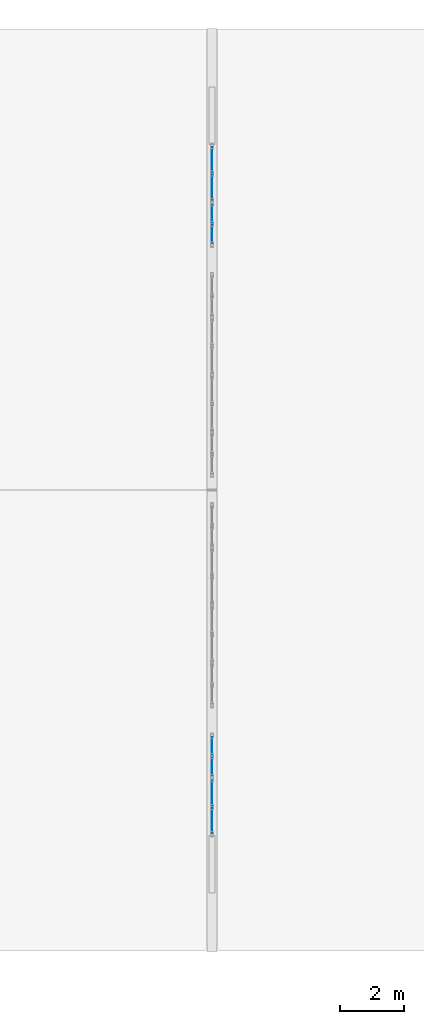
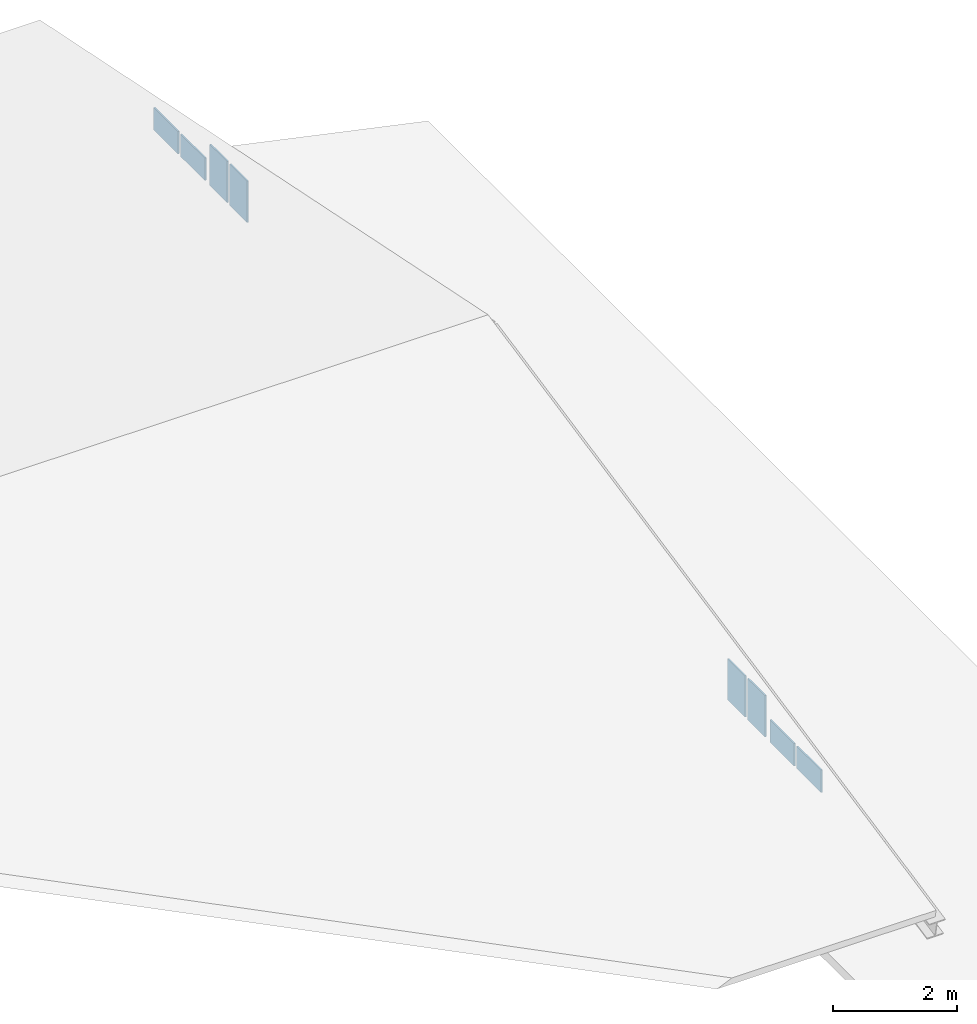
# One storey, part 65 of 76: 8 plates, 4 elements without a shape of their own.
"""IFC4 building model written with IfcOpenShell, lengths in metres."""

from ifc_helpers import new_model, si_unit, direction, frame, origin, origin_2d, place, context, subcontext, project, spatial, rectangle, extrude, material, layer, layer_set, type_object, element, aggregate, save


model = new_model("IFC4")

# Units and contexts
model_context = context("Model", 3, precision=1e-05, world=origin(), true_north=direction((0.0, 1.0)))
body_context = subcontext(model_context, "Body", "Model", "MODEL_VIEW")
ifc_project = project(units=[si_unit("LENGTHUNIT", "METRE"), si_unit("AREAUNIT", "SQUARE_METRE"), si_unit("VOLUMEUNIT", "CUBIC_METRE"), si_unit("PLANEANGLEUNIT", "RADIAN"), si_unit("MASSUNIT", "GRAM", prefix="KILO"), si_unit("THERMODYNAMICTEMPERATUREUNIT", "KELVIN"), si_unit("POWERUNIT", "WATT")], contexts=[model_context])

# Site, building, storey
site_placement = place(None, origin())
site = spatial("IfcSite", under=ifc_project, at=site_placement, CompositionType="ELEMENT")
building_placement = place(site_placement, origin())
building = spatial("IfcBuilding", under=site, at=building_placement, Name="Kaldorven Railside Theatre", CompositionType="ELEMENT")
storey_placement = place(building_placement, frame((0.0, 0.0, 14.39990234375)))
storey = spatial("IfcBuildingStorey", under=building, at=storey_placement, Name="L03", CompositionType="ELEMENT", Elevation=14.39990234375)

# Curtain wall, plates
ifc_material = material(Name="Low-E laminated solar-control glass", Category="glass")
ifc_layer_1 = layer(ifc_material, 0.159912109375, Name="Low-E laminated solar-control glass")
ifc_layer_set_1 = layer_set([ifc_layer_1], Name="Low-E laminated solar-control glass")
curtain_wall_type_1 = type_object("IfcCurtainWallType", Name="CWT-71", PredefinedType="USERDEFINED", material=ifc_layer_set_1)
curtain_wall_1_placement = place(storey_placement, origin())
curtain_wall_1 = element("IfcCurtainWall", 1, at=curtain_wall_1_placement, inside=storey, type_object=curtain_wall_type_1, Name="Rehearsal East Gable Clerestory CWG-158", ObjectType="FLUTED GLAZING", PredefinedType="USERDEFINED")
ifc_layer_2 = layer(ifc_material, 0.028076171875, Name="Low-E laminated solar-control glass")
ifc_layer_set_2 = layer_set([ifc_layer_2], Name="Low-E laminated solar-control glass")
plate_type = type_object("IfcPlateType", Name="CWP-GLZ28", PredefinedType="CURTAIN_PANEL", material=ifc_layer_set_2)
plate_1_placement = place(storey_placement, frame((180.800048828125, 116.8701171875, 0.080078125), z_axis=(0.0, 0.0, 1.0), x_axis=(0.0, 1.0, 0.0)))
plate_1 = element("IfcPlate", 2, at=plate_1_placement, type_object=plate_type, Name="CWG-158 panel 1.1", PredefinedType="CURTAIN_PANEL", context=body_context, shape_type="SweptSolid", body=[
    extrude(rectangle(XDim=0.780029296875, YDim=0.028076171875, at=origin_2d()), origin(), (0.0, 0.0, 1.0), 0.43994140625),
])
plate_2_placement = place(storey_placement, frame((180.800048828125, 117.72998046875, 0.080078125), z_axis=(0.0, 0.0, 1.0), x_axis=(0.0, 1.0, 0.0)))
plate_2 = element("IfcPlate", 3, at=plate_2_placement, type_object=plate_type, Name="CWG-158 panel 2.1", PredefinedType="CURTAIN_PANEL", context=body_context, shape_type="SweptSolid", body=[
    extrude(rectangle(XDim=0.780029296875, YDim=0.028076171875, at=origin_2d()), origin(), (0.0, 0.0, 1.0), 0.43994140625),
])
aggregate(curtain_wall_1, [plate_1, plate_2])

ifc_layer_3 = layer(ifc_material, 0.159912109375, Name="Low-E laminated solar-control glass")
ifc_layer_set_3 = layer_set([ifc_layer_3], Name="Low-E laminated solar-control glass")
curtain_wall_type_2 = type_object("IfcCurtainWallType", Name="CWT-72", PredefinedType="USERDEFINED", material=ifc_layer_set_3)
curtain_wall_2_placement = place(storey_placement, origin())
curtain_wall_2 = element("IfcCurtainWall", 4, at=curtain_wall_2_placement, inside=storey, type_object=curtain_wall_type_2, Name="Rehearsal East Gable Clerestory CWG-159", ObjectType="FLUTED GLAZING", PredefinedType="USERDEFINED")
plate_3_placement = place(storey_placement, frame((180.800048828125, 118.56005859375, 0.080078125), z_axis=(0.0, 0.0, 1.0), x_axis=(0.0, 1.0, 0.0)))
plate_3 = element("IfcPlate", 5, at=plate_3_placement, type_object=plate_type, Name="CWG-159 panel 1.1", PredefinedType="CURTAIN_PANEL", context=body_context, shape_type="SweptSolid", body=[
    extrude(rectangle(XDim=0.56005859375, YDim=0.028076171875, at=origin_2d()), origin(), (0.0, 0.0, 1.0), 0.81005859375),
])
plate_4_placement = place(storey_placement, frame((180.800048828125, 119.199951171875, 0.080078125), z_axis=(0.0, 0.0, 1.0), x_axis=(0.0, 1.0, 0.0)))
plate_4 = element("IfcPlate", 6, at=plate_4_placement, type_object=plate_type, Name="CWG-159 panel 2.1", PredefinedType="CURTAIN_PANEL", context=body_context, shape_type="SweptSolid", body=[
    extrude(rectangle(XDim=0.56005859375, YDim=0.028076171875, at=origin_2d()), origin(), (0.0, 0.0, 1.0), 0.81005859375),
])
aggregate(curtain_wall_2, [plate_3, plate_4])

curtain_wall_3_placement = place(storey_placement, origin())
curtain_wall_3 = element("IfcCurtainWall", 7, at=curtain_wall_3_placement, inside=storey, type_object=curtain_wall_type_2, Name="Rehearsal East Gable Clerestory CWG-168", ObjectType="FLUTED GLAZING", PredefinedType="USERDEFINED")
plate_5_placement = place(storey_placement, frame((180.800048828125, 135.199951171875, 0.080078125), z_axis=(0.0, 0.0, 1.0), x_axis=(0.0, 1.0, 0.0)))
plate_5 = element("IfcPlate", 8, at=plate_5_placement, type_object=plate_type, Name="CWG-168 panel 1.1", PredefinedType="CURTAIN_PANEL", context=body_context, shape_type="SweptSolid", body=[
    extrude(rectangle(XDim=0.56005859375, YDim=0.028076171875, at=origin_2d()), origin(), (0.0, 0.0, 1.0), 0.81005859375),
])
plate_6_placement = place(storey_placement, frame((180.800048828125, 135.840087890625, 0.080078125), z_axis=(0.0, 0.0, 1.0), x_axis=(0.0, 1.0, 0.0)))
plate_6 = element("IfcPlate", 9, at=plate_6_placement, type_object=plate_type, Name="CWG-168 panel 2.1", PredefinedType="CURTAIN_PANEL", context=body_context, shape_type="SweptSolid", body=[
    extrude(rectangle(XDim=0.56005859375, YDim=0.028076171875, at=origin_2d()), origin(), (0.0, 0.0, 1.0), 0.81005859375),
])
aggregate(curtain_wall_3, [plate_5, plate_6])

curtain_wall_4_placement = place(storey_placement, origin())
curtain_wall_4 = element("IfcCurtainWall", 10, at=curtain_wall_4_placement, inside=storey, type_object=curtain_wall_type_1, Name="Rehearsal East Gable Clerestory CWG-169", ObjectType="FLUTED GLAZING", PredefinedType="USERDEFINED")
plate_7_placement = place(storey_placement, frame((180.800048828125, 136.669921875, 0.080078125), z_axis=(0.0, 0.0, 1.0), x_axis=(0.0, 1.0, 0.0)))
plate_7 = element("IfcPlate", 11, at=plate_7_placement, type_object=plate_type, Name="CWG-169 panel 1.1", PredefinedType="CURTAIN_PANEL", context=body_context, shape_type="SweptSolid", body=[
    extrude(rectangle(XDim=0.780029296875, YDim=0.028076171875, at=origin_2d()), origin(), (0.0, 0.0, 1.0), 0.43994140625),
])
plate_8_placement = place(storey_placement, frame((180.800048828125, 137.530029296875, 0.080078125), z_axis=(0.0, 0.0, 1.0), x_axis=(0.0, 1.0, 0.0)))
plate_8 = element("IfcPlate", 12, at=plate_8_placement, type_object=plate_type, Name="CWG-169 panel 2.1", PredefinedType="CURTAIN_PANEL", context=body_context, shape_type="SweptSolid", body=[
    extrude(rectangle(XDim=0.780029296875, YDim=0.028076171875, at=origin_2d()), origin(), (0.0, 0.0, 1.0), 0.43994140625),
])
aggregate(curtain_wall_4, [plate_7, plate_8])

save(model, "model.ifc")
